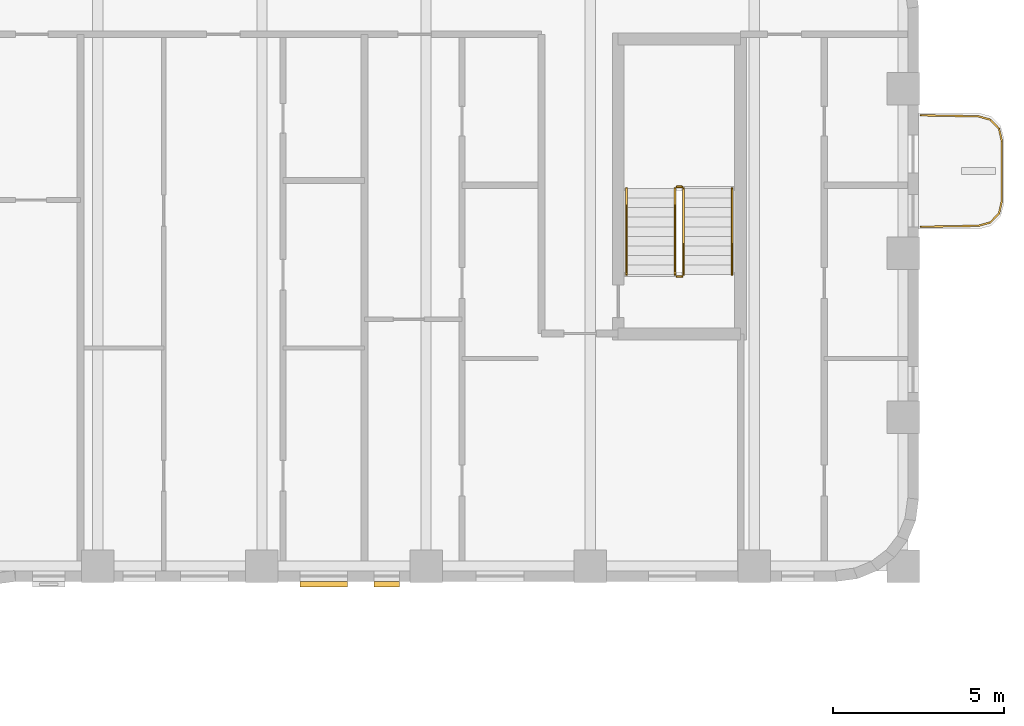
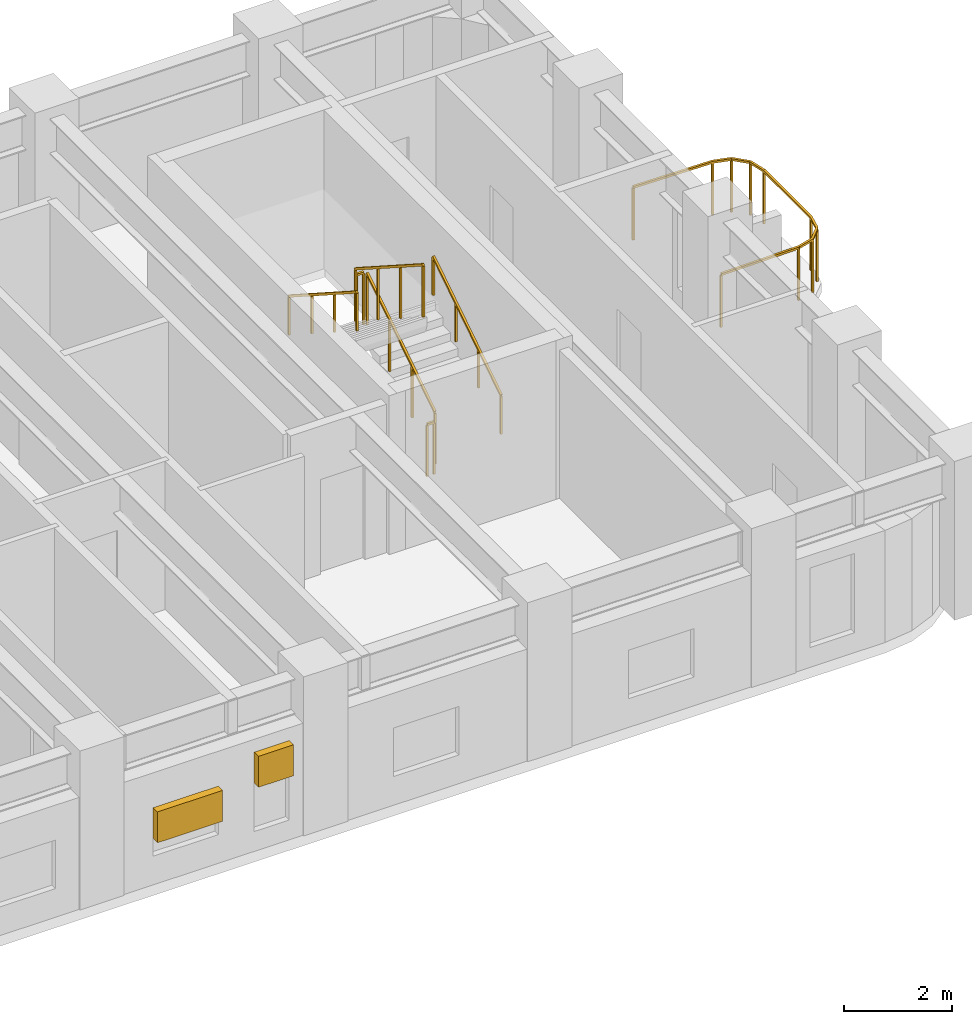
# One storey, part 9 of 10: 7 railings, 2 shading devices.
"""IFC4 building model written with IfcOpenShell, lengths in metres."""

from ifc_helpers import new_model, si_unit, direction, frame, origin, origin_2d, place, context, subcontext, project, spatial, rectangle, extrude, material, type_object, element, save


model = new_model("IFC4")

# Units and contexts
model_context = context("Model", 3, precision=1e-05, world=origin(), true_north=direction((0.0, 1.0)))
body_context = subcontext(model_context, "Body", "Model", "MODEL_VIEW")
ifc_project = project(units=[si_unit("LENGTHUNIT", "METRE"), si_unit("AREAUNIT", "SQUARE_METRE"), si_unit("VOLUMEUNIT", "CUBIC_METRE"), si_unit("PLANEANGLEUNIT", "RADIAN"), si_unit("MASSUNIT", "GRAM", prefix="KILO")], contexts=[model_context])

# Site, building, storey
site_placement = place(None, origin())
site = spatial("IfcSite", under=ifc_project, at=site_placement, CompositionType="ELEMENT")
building_placement = place(site_placement, origin())
building = spatial("IfcBuilding", under=site, at=building_placement, Name="Orvandelia Arch Residences", CompositionType="ELEMENT")
storey_placement = place(building_placement, frame((0.0, 0.0, 143.199951171875)))
storey = spatial("IfcBuildingStorey", under=building, at=storey_placement, Name="L37", CompositionType="ELEMENT", Elevation=143.199951171875)

# Railings
ifc_material_1 = material(Name="Marine-Grade Stainless Steel 316", Category="steel")
railing_type_1 = type_object("IfcRailingType", Name="GRD-BAL-1200", PredefinedType="BALUSTRADE", material=ifc_material_1)
railing_1_placement = place(storey_placement, frame((52.871826171875, 39.169677734375, 0.0)))
element("IfcRailing", 1, at=railing_1_placement, inside=storey, type_object=railing_type_1, Name="Safety Balustrade Guard GRD-L37-BAL-L37-E1-1", PredefinedType="BALUSTRADE", context=body_context, shape_type="SweptSolid", body=[
    extrude(rectangle(XDim=0.048095703125, YDim=0.048095703125, at=origin_2d()), frame((0.0, 0.0, 1.19580078125), z_axis=(0.999837384468, 0.018033430643, 0.0), x_axis=(-0.018033430643, 0.999837384468, 0.0)), (0.0, 0.0, 1.0), 1.6787109375),
    extrude(rectangle(XDim=0.048095703125, YDim=0.048095703125, at=origin_2d()), frame((1.678466796875, 0.0302734375, 1.19580078125), z_axis=(0.96348920644, 0.267747173792, 0.0), x_axis=(-0.267747173792, 0.96348920644, 0.0)), (0.0, 0.0, 1.0), 0.36572265625),
    extrude(rectangle(XDim=0.048095703125, YDim=0.048095703125, at=origin_2d()), frame((2.03076171875, 0.128173828125, 1.19580078125), z_axis=(0.687947031175, 0.725760898848, 0.0), x_axis=(-0.725760898848, 0.687947031175, 0.0)), (0.0, 0.0, 1.0), 0.367919921875),
    extrude(rectangle(XDim=0.048095703125, YDim=0.048095703125, at=origin_2d()), frame((2.283935546875, 0.395263671875, 1.19580078125), z_axis=(0.221225034864, 0.975222786828, 0.0), x_axis=(-0.975222786828, 0.221225034864, 0.0)), (0.0, 0.0, 1.0), 0.373046875),
    extrude(rectangle(XDim=0.048095703125, YDim=0.048095703125, at=origin_2d()), frame((2.366455078125, 0.759033203125, 1.19580078125), z_axis=(0.0, 1.0, 0.0), x_axis=(-1.0, 0.0, 0.0)), (0.0, 0.0, 1.0), 1.74267578125),
    extrude(rectangle(XDim=0.048095703125, YDim=0.048095703125, at=origin_2d()), frame((2.366455078125, 2.501708984375, 1.19580078125), z_axis=(-0.221225034864, 0.975222786828, 0.0), x_axis=(-0.975222786828, -0.221225034864, 0.0)), (0.0, 0.0, 1.0), 0.373046875),
    extrude(rectangle(XDim=0.048095703125, YDim=0.048095703125, at=origin_2d()), frame((2.283935546875, 2.865478515625, 1.19580078125), z_axis=(-0.688278345278, 0.725446703364, 0.0), x_axis=(-0.725446703364, -0.688278345278, 0.0)), (0.0, 0.0, 1.0), 0.367919921875),
    extrude(rectangle(XDim=0.048095703125, YDim=0.048095703125, at=origin_2d()), frame((2.03076171875, 3.13232421875, 1.19580078125), z_axis=(-0.96348920644, 0.267747173792, 0.0), x_axis=(-0.267747173792, -0.96348920644, 0.0)), (0.0, 0.0, 1.0), 0.36572265625),
    extrude(rectangle(XDim=0.048095703125, YDim=0.048095703125, at=origin_2d()), frame((1.678466796875, 3.230224609375, 1.19580078125), z_axis=(-0.999834751713, 0.018178813668, 0.0), x_axis=(-0.018178813668, -0.999834751713, 0.0)), (0.0, 0.0, 1.0), 1.6787109375),
    extrude(rectangle(XDim=0.0419921875, YDim=0.0419921875, at=origin_2d()), origin(), (0.0, 0.0, 1.0), 1.171875),
    extrude(rectangle(XDim=0.0419921875, YDim=0.0419921875, at=origin_2d()), frame((1.678466796875, 0.0302734375, 0.0)), (0.0, 0.0, 1.0), 1.171875),
    extrude(rectangle(XDim=0.0419921875, YDim=0.0419921875, at=origin_2d()), frame((2.03076171875, 0.128173828125, 0.0)), (0.0, 0.0, 1.0), 1.171875),
    extrude(rectangle(XDim=0.0419921875, YDim=0.0419921875, at=origin_2d()), frame((2.283935546875, 0.395263671875, 0.0)), (0.0, 0.0, 1.0), 1.171875),
    extrude(rectangle(XDim=0.0419921875, YDim=0.0419921875, at=origin_2d()), frame((2.366455078125, 0.759033203125, 0.0)), (0.0, 0.0, 1.0), 1.171875),
    extrude(rectangle(XDim=0.0419921875, YDim=0.0419921875, at=origin_2d()), frame((2.366455078125, 2.501708984375, 0.0)), (0.0, 0.0, 1.0), 1.171875),
    extrude(rectangle(XDim=0.0419921875, YDim=0.0419921875, at=origin_2d()), frame((2.283935546875, 2.865478515625, 0.0)), (0.0, 0.0, 1.0), 1.171875),
    extrude(rectangle(XDim=0.0419921875, YDim=0.0419921875, at=origin_2d()), frame((2.03076171875, 3.13232421875, 0.0)), (0.0, 0.0, 1.0), 1.171875),
    extrude(rectangle(XDim=0.0419921875, YDim=0.0419921875, at=origin_2d()), frame((1.678466796875, 3.230224609375, 0.0)), (0.0, 0.0, 1.0), 1.171875),
    extrude(rectangle(XDim=0.0419921875, YDim=0.0419921875, at=origin_2d()), frame((0.0, 3.2607421875, 0.0)), (0.0, 0.0, 1.0), 1.171875),
])
ifc_material_2 = material(Name="Brushed Stainless Steel 304", Category="steel")
railing_type_2 = type_object("IfcRailingType", Name="RL-STAIR-GD1120", PredefinedType="GUARDRAIL", material=ifc_material_2)
railing_2_placement = place(storey_placement, frame((45.929931640625, 37.77001953125, 0.179931640625)))
element("IfcRailing", 2, at=railing_2_placement, inside=storey, type_object=railing_type_2, Name="L37 ST-3 stair guard 1", PredefinedType="GUARDRAIL", context=body_context, shape_type="SweptSolid", body=[
    extrude(rectangle(XDim=0.048095703125, YDim=0.048095703125, at=origin_2d()), frame((0.0, 0.0, 1.17578125), z_axis=(0.0, 0.841162588446, 0.540782303519), x_axis=(-1.0, 0.0, 0.0)), (0.0, 0.0, 1.0), 2.995849609375),
    extrude(rectangle(XDim=0.0419921875, YDim=0.0419921875, at=origin_2d()), origin(), (0.0, 0.0, 1.0), 1.15185546875),
    extrude(rectangle(XDim=0.0419921875, YDim=0.0419921875, at=origin_2d()), frame((0.0, 0.840087890625, 0.5400390625)), (0.0, 0.0, 1.0), 1.15185546875),
    extrude(rectangle(XDim=0.0419921875, YDim=0.0419921875, at=origin_2d()), frame((0.0, 1.679931640625, 1.080078125)), (0.0, 0.0, 1.0), 1.15185546875),
    extrude(rectangle(XDim=0.0419921875, YDim=0.0419921875, at=origin_2d()), frame((0.0, 2.52001953125, 1.6201171875)), (0.0, 0.0, 1.0), 1.15185546875),
])
railing_3_placement = place(storey_placement, frame((45.8798828125, 40.340087890625, 1.800048828125)))
element("IfcRailing", 3, at=railing_3_placement, inside=storey, type_object=railing_type_2, Name="L37 ST-3 stair guard 2", PredefinedType="GUARDRAIL", context=body_context, shape_type="SweptSolid", body=[
    extrude(rectangle(XDim=0.048095703125, YDim=0.048095703125, at=origin_2d()), frame((0.0, 0.0, 1.17578125), z_axis=(-1.0, 0.0, 0.0), x_axis=(0.0, -1.0, 0.0)), (0.0, 0.0, 1.0), 0.14990234375),
    extrude(rectangle(XDim=0.0419921875, YDim=0.0419921875, at=origin_2d()), origin(), (0.0, 0.0, 1.0), 1.15185546875),
    extrude(rectangle(XDim=0.0419921875, YDim=0.0419921875, at=origin_2d()), frame((-0.14990234375, 0.0, 0.0)), (0.0, 0.0, 1.0), 1.15185546875),
])
railing_4_placement = place(storey_placement, frame((45.679931640625, 40.2900390625, 1.97998046875)))
element("IfcRailing", 4, at=railing_4_placement, inside=storey, type_object=railing_type_2, Name="L37 ST-3 stair guard 3", PredefinedType="GUARDRAIL", context=body_context, shape_type="SweptSolid", body=[
    extrude(rectangle(XDim=0.048095703125, YDim=0.048095703125, at=origin_2d()), frame((0.0, 0.0, 1.17578125), z_axis=(0.0, -0.841162588446, 0.540782303519), x_axis=(1.0, 0.0, 0.0)), (0.0, 0.0, 1.0), 2.995849609375),
    extrude(rectangle(XDim=0.0419921875, YDim=0.0419921875, at=origin_2d()), origin(), (0.0, 0.0, 1.0), 1.15185546875),
    extrude(rectangle(XDim=0.0419921875, YDim=0.0419921875, at=origin_2d()), frame((0.0, -0.840087890625, 0.5400390625)), (0.0, 0.0, 1.0), 1.15185546875),
    extrude(rectangle(XDim=0.0419921875, YDim=0.0419921875, at=origin_2d()), frame((0.0, -1.679931640625, 1.080078125)), (0.0, 0.0, 1.0), 1.15185546875),
    extrude(rectangle(XDim=0.0419921875, YDim=0.0419921875, at=origin_2d()), frame((0.0, -2.52001953125, 1.6201171875)), (0.0, 0.0, 1.0), 1.15185546875),
])
railing_5_placement = place(storey_placement, frame((45.8798828125, 37.719970703125, 0.0)))
element("IfcRailing", 5, at=railing_5_placement, inside=storey, type_object=railing_type_2, Name="L37 ST-3 stair guard 4", PredefinedType="GUARDRAIL", context=body_context, shape_type="SweptSolid", body=[
    extrude(rectangle(XDim=0.048095703125, YDim=0.048095703125, at=origin_2d()), frame((0.0, 0.0, 1.17578125), z_axis=(-1.0, 0.0, 0.0), x_axis=(0.0, -1.0, 0.0)), (0.0, 0.0, 1.0), 0.14990234375),
    extrude(rectangle(XDim=0.0419921875, YDim=0.0419921875, at=origin_2d()), origin(), (0.0, 0.0, 1.0), 1.15185546875),
    extrude(rectangle(XDim=0.0419921875, YDim=0.0419921875, at=origin_2d()), frame((-0.14990234375, 0.0, 0.0)), (0.0, 0.0, 1.0), 1.15185546875),
])
railing_type_3 = type_object("IfcRailingType", Name="RL-STAIR-HR920", PredefinedType="HANDRAIL", material=ifc_material_2)
railing_6_placement = place(storey_placement, frame((47.35009765625, 37.77001953125, 0.360107421875)))
element("IfcRailing", 6, at=railing_6_placement, inside=storey, type_object=railing_type_3, Name="L37 ST-3 stair handrail 1", PredefinedType="HANDRAIL", context=body_context, shape_type="SweptSolid", body=[
    extrude(rectangle(XDim=0.048095703125, YDim=0.048095703125, at=origin_2d()), frame((0.0, 0.0, 0.8759765625), z_axis=(0.0, 0.841199657755, 0.540724639528), x_axis=(-1.0, 0.0, 0.0)), (0.0, 0.0, 1.0), 2.995849609375),
    extrude(rectangle(XDim=0.0419921875, YDim=0.0419921875, at=origin_2d()), origin(), (0.0, 0.0, 1.0), 0.851806640625),
    extrude(rectangle(XDim=0.0419921875, YDim=0.0419921875, at=origin_2d()), frame((0.0, 0.840087890625, 0.5400390625)), (0.0, 0.0, 1.0), 0.851806640625),
    extrude(rectangle(XDim=0.0419921875, YDim=0.0419921875, at=origin_2d()), frame((0.0, 1.679931640625, 1.079833984375)), (0.0, 0.0, 1.0), 0.851806640625),
    extrude(rectangle(XDim=0.0419921875, YDim=0.0419921875, at=origin_2d()), frame((0.0, 2.52001953125, 1.619873046875)), (0.0, 0.0, 1.0), 0.851806640625),
])
railing_7_placement = place(storey_placement, frame((44.260009765625, 40.2900390625, 2.16015625)))
element("IfcRailing", 7, at=railing_7_placement, inside=storey, type_object=railing_type_3, Name="L37 ST-3 stair handrail 2", PredefinedType="HANDRAIL", context=body_context, shape_type="SweptSolid", body=[
    extrude(rectangle(XDim=0.048095703125, YDim=0.048095703125, at=origin_2d()), frame((0.0, 0.0, 0.8759765625), z_axis=(0.0, -0.841199657755, 0.540724639528), x_axis=(1.0, 0.0, 0.0)), (0.0, 0.0, 1.0), 2.995849609375),
    extrude(rectangle(XDim=0.0419921875, YDim=0.0419921875, at=origin_2d()), origin(), (0.0, 0.0, 1.0), 0.851806640625),
    extrude(rectangle(XDim=0.0419921875, YDim=0.0419921875, at=origin_2d()), frame((0.0, -0.840087890625, 0.5400390625)), (0.0, 0.0, 1.0), 0.851806640625),
    extrude(rectangle(XDim=0.0419921875, YDim=0.0419921875, at=origin_2d()), frame((0.0, -1.679931640625, 1.079833984375)), (0.0, 0.0, 1.0), 0.851806640625),
    extrude(rectangle(XDim=0.0419921875, YDim=0.0419921875, at=origin_2d()), frame((0.0, -2.52001953125, 1.619873046875)), (0.0, 0.0, 1.0), 0.851806640625),
])

# Shading devices
ifc_material_3 = material(Name="Anodised Champagne-Bronze Extruded Aluminium", Category="aluminium")
shading_device_type = type_object("IfcShadingDeviceType", Name="SHD-JALOUSIE-SCREEN", PredefinedType="JALOUSIE", material=ifc_material_3)
shading_device_1_placement = place(storey_placement, frame((35.409912109375, 28.719970703125, 1.05029296875), z_axis=(0.0, 0.0, 1.0), x_axis=(-1.0, 0.0, 0.0)))
element("IfcShadingDevice", 8, at=shading_device_1_placement, inside=storey, type_object=shading_device_type, Name="Bronze Jalousie Sun-Shade L37-002", PredefinedType="JALOUSIE", context=body_context, shape_type="SweptSolid", body=[
    extrude(rectangle(XDim=1.39990234375, YDim=0.159912109375, at=origin_2d()), origin(), (0.0, 0.0, 1.0), 0.699951171875),
])
shading_device_2_placement = place(storey_placement, frame((37.25244140625, 28.719970703125, 1.55029296875), z_axis=(0.0, 0.0, 1.0), x_axis=(-1.0, 0.0, 0.0)))
element("IfcShadingDevice", 9, at=shading_device_2_placement, inside=storey, type_object=shading_device_type, Name="Bronze Jalousie Sun-Shade L37-004", PredefinedType="JALOUSIE", context=body_context, shape_type="SweptSolid", body=[
    extrude(rectangle(XDim=0.75, YDim=0.159912109375, at=origin_2d()), origin(), (0.0, 0.0, 1.0), 0.699951171875),
])

save(model, "model.ifc")
